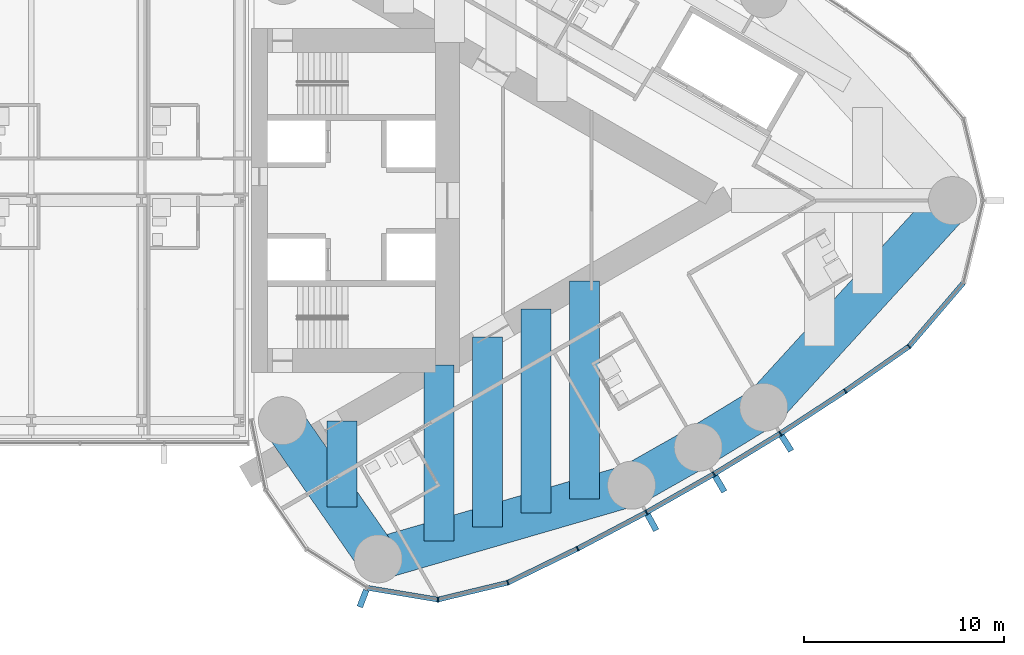
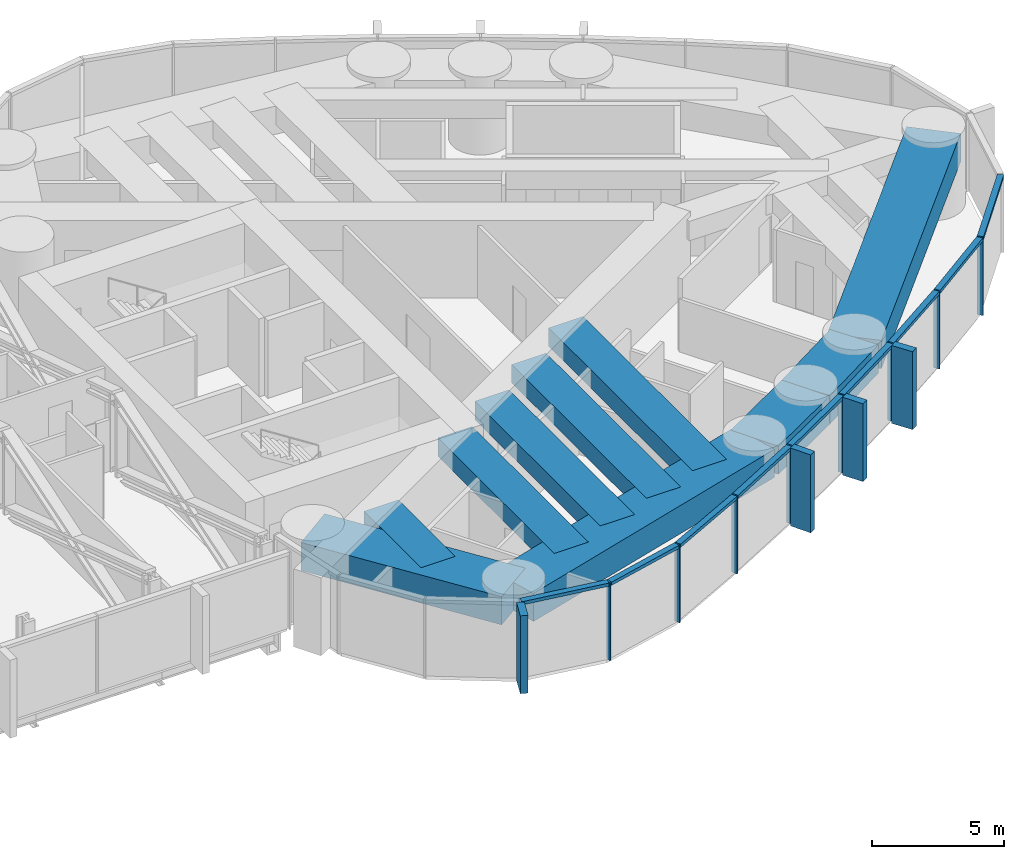
# One storey, part 8 of 22: 21 members, 10 beams, 1 element without a shape of its own.
"""IFC4 building model written with IfcOpenShell, lengths in metres."""

from ifc_helpers import new_model, si_unit, direction, frame, origin, origin_2d, place, context, subcontext, project, spatial, rectangle, extrude, material, material_profile, profile_set, type_object, element, aggregate, save


model = new_model("IFC4")

# Units and contexts
model_context = context("Model", 3, precision=1e-05, world=origin(), true_north=direction((0.0, 1.0)))
body_context = subcontext(model_context, "Body", "Model", "MODEL_VIEW")
ifc_project = project(units=[si_unit("LENGTHUNIT", "METRE"), si_unit("AREAUNIT", "SQUARE_METRE"), si_unit("VOLUMEUNIT", "CUBIC_METRE"), si_unit("PLANEANGLEUNIT", "RADIAN"), si_unit("MASSUNIT", "GRAM", prefix="KILO")], contexts=[model_context])

# Site, building, storey
site_placement = place(None, origin())
site = spatial("IfcSite", under=ifc_project, at=site_placement, CompositionType="ELEMENT")
building_placement = place(site_placement, origin())
building = spatial("IfcBuilding", under=site, at=building_placement, Name="Lancet Gate Hotel", CompositionType="ELEMENT")
storey_placement = place(building_placement, frame((0.0, 0.0, 233.300048828125)))
storey = spatial("IfcBuildingStorey", under=building, at=storey_placement, Name="L62", CompositionType="ELEMENT", Elevation=233.300048828125)

# Curtain wall, members
ifc_material_1 = material(Name="Aluminium curtain wall", Category="aluminium")
curtain_wall_type = type_object("IfcCurtainWallType", Name="Tower unitised curtain wall", PredefinedType="USERDEFINED", material=ifc_material_1)
curtain_wall_placement = place(storey_placement, origin())
curtain_wall = element("IfcCurtainWall", 1, at=curtain_wall_placement, inside=storey, type_object=curtain_wall_type, Name="T2 L62 curtain wall 1", ObjectType="UNITISED CURTAIN WALL", PredefinedType="USERDEFINED")
ifc_material_2 = material(Name="Aluminium mullion", Category="aluminium")
ifc_material_profile_1 = material_profile(ifc_material_2, rectangle(XDim=0.06494140625, YDim=0.25, at=origin_2d()), Name="MULLION 65x250")
ifc_profile_set_1 = profile_set([ifc_material_profile_1], Name="Aluminium mullion")
member_type_1 = type_object("IfcMemberType", Name="Aluminium mullion 65x250", PredefinedType="MULLION", material=ifc_profile_set_1)
member_1_placement = place(storey_placement, frame((36.826171875, -19.942138671875, 0.0), z_axis=(0.0, 0.0, 1.0), x_axis=(0.999342744911, 0.03625021647, 0.0)))
member_1 = element("IfcMember", 2, at=member_1_placement, type_object=member_type_1, Name="T2 L62 curtain wall 1 mullion 5", PredefinedType="MULLION", context=body_context, shape_type="SweptSolid", body=[
    extrude(rectangle(XDim=0.06494140625, YDim=0.25, at=origin_2d()), origin(), (0.0, 0.0, 1.0), 3.599853515625),
])
member_2_placement = place(storey_placement, frame((40.3173828125, -19.098388671875, 0.0), z_axis=(0.0, 0.0, 1.0), x_axis=(0.939483740419, 0.342593493061, 0.0)))
member_2 = element("IfcMember", 3, at=member_2_placement, type_object=member_type_1, Name="T2 L62 curtain wall 1 mullion 6", PredefinedType="MULLION", context=body_context, shape_type="SweptSolid", body=[
    extrude(rectangle(XDim=0.06494140625, YDim=0.25, at=origin_2d()), origin(), (0.0, 0.0, 1.0), 3.599853515625),
])
member_3_placement = place(storey_placement, frame((43.80810546875, -17.396240234375, 0.0), z_axis=(0.0, 0.0, 1.0), x_axis=(0.891832977257, 0.452364831389, 0.0)))
member_3 = element("IfcMember", 4, at=member_3_placement, type_object=member_type_1, Name="T2 L62 curtain wall 1 mullion 7", PredefinedType="MULLION", context=body_context, shape_type="SweptSolid", body=[
    extrude(rectangle(XDim=0.06494140625, YDim=0.25, at=origin_2d()), origin(), (0.0, 0.0, 1.0), 3.599853515625),
])
member_4_placement = place(storey_placement, frame((47.24365234375, -15.585205078125, 0.0), z_axis=(0.0, 0.0, 1.0), x_axis=(0.877194589488, 0.480135035352, 0.0)))
member_4 = element("IfcMember", 5, at=member_4_placement, type_object=member_type_1, Name="T2 L62 curtain wall 1 mullion 8", PredefinedType="MULLION", context=body_context, shape_type="SweptSolid", body=[
    extrude(rectangle(XDim=0.06494140625, YDim=0.25, at=origin_2d()), origin(), (0.0, 0.0, 1.0), 3.599853515625),
])
member_5_placement = place(storey_placement, frame((50.62060546875, -13.667236328125, 0.0), z_axis=(0.0, 0.0, 1.0), x_axis=(0.861691755738, 0.507432082247, 0.0)))
member_5 = element("IfcMember", 6, at=member_5_placement, type_object=member_type_1, Name="T2 L62 curtain wall 1 mullion 9", PredefinedType="MULLION", context=body_context, shape_type="SweptSolid", body=[
    extrude(rectangle(XDim=0.06494140625, YDim=0.25, at=origin_2d()), origin(), (0.0, 0.0, 1.0), 3.599853515625),
])
member_6_placement = place(storey_placement, frame((53.935791015625, -11.644287109375, 0.0), z_axis=(0.0, 0.0, 1.0), x_axis=(0.845339753513, 0.534229071777, 0.0)))
member_6 = element("IfcMember", 7, at=member_6_placement, type_object=member_type_1, Name="T2 L62 curtain wall 1 mullion 10", PredefinedType="MULLION", context=body_context, shape_type="SweptSolid", body=[
    extrude(rectangle(XDim=0.06494140625, YDim=0.25, at=origin_2d()), origin(), (0.0, 0.0, 1.0), 3.599853515625),
])
member_7_placement = place(storey_placement, frame((57.185791015625, -9.518310546875, 0.0), z_axis=(0.0, 0.0, 1.0), x_axis=(0.828154697184, 0.560499596371, 0.0)))
member_7 = element("IfcMember", 8, at=member_7_placement, type_object=member_type_1, Name="T2 L62 curtain wall 1 mullion 11", PredefinedType="MULLION", context=body_context, shape_type="SweptSolid", body=[
    extrude(rectangle(XDim=0.06494140625, YDim=0.25, at=origin_2d()), origin(), (0.0, 0.0, 1.0), 3.599853515625),
])
member_8_placement = place(storey_placement, frame((60.367431640625, -7.291259765625, 0.0), z_axis=(0.0, 0.0, 1.0), x_axis=(0.737323173512, 0.675540182226, 0.0)))
member_8 = element("IfcMember", 9, at=member_8_placement, type_object=member_type_1, Name="T2 L62 curtain wall 1 mullion 12", PredefinedType="MULLION", context=body_context, shape_type="SweptSolid", body=[
    extrude(rectangle(XDim=0.06494140625, YDim=0.25, at=origin_2d()), origin(), (0.0, 0.0, 1.0), 3.599853515625),
])
ifc_material_3 = material(Name="Aluminium transom", Category="aluminium")
ifc_material_profile_2 = material_profile(ifc_material_3, rectangle(XDim=0.25, YDim=0.14990234375, at=origin_2d()), Name="TRANSOM 250x150")
ifc_profile_set_2 = profile_set([ifc_material_profile_2], Name="Aluminium transom")
member_type_2 = type_object("IfcMemberType", Name="Aluminium transom 250x150", PredefinedType="USERDEFINED", material=ifc_profile_set_2)
member_9_placement = place(storey_placement, frame((33.315185546875, -19.35888671875, 3.52490234375), z_axis=(0.986483584545, -0.163860115412, 0.0), x_axis=(0.163860115412, 0.986483584545, 0.0)))
member_9 = element("IfcMember", 10, at=member_9_placement, type_object=member_type_2, Name="T2 L62 curtain wall 1 transom 4", ObjectType="TRANSOM", PredefinedType="USERDEFINED", context=body_context, shape_type="SweptSolid", body=[
    extrude(rectangle(XDim=0.25, YDim=0.14990234375, at=origin_2d()), origin(), (0.0, 0.0, 1.0), 3.526611328125),
])
member_10_placement = place(storey_placement, frame((36.85791015625, -19.9345703125, 3.52490234375), z_axis=(0.972002653858, 0.234969872307, 0.0), x_axis=(-0.234969872307, 0.972002653858, 0.0)))
member_10 = element("IfcMember", 11, at=member_10_placement, type_object=member_type_2, Name="T2 L62 curtain wall 1 transom 5", ObjectType="TRANSOM", PredefinedType="USERDEFINED", context=body_context, shape_type="SweptSolid", body=[
    extrude(rectangle(XDim=0.25, YDim=0.14990234375, at=origin_2d()), origin(), (0.0, 0.0, 1.0), 3.5263671875),
])
member_11_placement = place(storey_placement, frame((40.346435546875, -19.084228515625, 3.52490234375), z_axis=(0.898820051991, 0.438317823206, 0.0), x_axis=(-0.438317823206, 0.898820051991, 0.0)))
member_11 = element("IfcMember", 12, at=member_11_placement, type_object=member_type_2, Name="T2 L62 curtain wall 1 transom 6", ObjectType="TRANSOM", PredefinedType="USERDEFINED", context=body_context, shape_type="SweptSolid", body=[
    extrude(rectangle(XDim=0.25, YDim=0.14990234375, at=origin_2d()), origin(), (0.0, 0.0, 1.0), 3.81884765625),
])
member_12_placement = place(storey_placement, frame((43.836669921875, -17.381103515625, 3.52490234375), z_axis=(0.884618491031, 0.466315478325, 0.0), x_axis=(-0.466315478325, 0.884618491031, 0.0)))
member_12 = element("IfcMember", 13, at=member_12_placement, type_object=member_type_2, Name="T2 L62 curtain wall 1 transom 7", ObjectType="TRANSOM", PredefinedType="USERDEFINED", context=body_context, shape_type="SweptSolid", body=[
    extrude(rectangle(XDim=0.25, YDim=0.14990234375, at=origin_2d()), origin(), (0.0, 0.0, 1.0), 3.81884765625),
])
member_13_placement = place(storey_placement, frame((47.271728515625, -15.569091796875, 3.52490234375), z_axis=(0.869562011924, 0.493823761496, 0.0), x_axis=(-0.493823761496, 0.869562011924, 0.0)))
member_13 = element("IfcMember", 14, at=member_13_placement, type_object=member_type_2, Name="T2 L62 curtain wall 1 transom 8", ObjectType="TRANSOM", PredefinedType="USERDEFINED", context=body_context, shape_type="SweptSolid", body=[
    extrude(rectangle(XDim=0.25, YDim=0.14990234375, at=origin_2d()), origin(), (0.0, 0.0, 1.0), 3.818603515625),
])
member_14_placement = place(storey_placement, frame((50.648193359375, -13.650390625, 3.52490234375), z_axis=(0.853638798527, 0.520865435261, 0.0), x_axis=(-0.520865435261, 0.853638798527, 0.0)))
member_14 = element("IfcMember", 15, at=member_14_placement, type_object=member_type_2, Name="T2 L62 curtain wall 1 transom 9", ObjectType="TRANSOM", PredefinedType="USERDEFINED", context=body_context, shape_type="SweptSolid", body=[
    extrude(rectangle(XDim=0.25, YDim=0.14990234375, at=origin_2d()), origin(), (0.0, 0.0, 1.0), 3.818603515625),
])
member_15_placement = place(storey_placement, frame((53.962890625, -11.62646484375, 3.52490234375), z_axis=(0.836858089593, 0.547419891749, 0.0), x_axis=(-0.547419891749, 0.836858089593, 0.0)))
member_15 = element("IfcMember", 16, at=member_15_placement, type_object=member_type_2, Name="T2 L62 curtain wall 1 transom 10", ObjectType="TRANSOM", PredefinedType="USERDEFINED", context=body_context, shape_type="SweptSolid", body=[
    extrude(rectangle(XDim=0.25, YDim=0.14990234375, at=origin_2d()), origin(), (0.0, 0.0, 1.0), 3.818603515625),
])
member_16_placement = place(storey_placement, frame((57.21240234375, -9.499755859375, 3.52490234375), z_axis=(0.819255948852, 0.573428016642, 0.0), x_axis=(-0.573428016642, 0.819255948852, 0.0)))
member_16 = element("IfcMember", 17, at=member_16_placement, type_object=member_type_2, Name="T2 L62 curtain wall 1 transom 11", ObjectType="TRANSOM", PredefinedType="USERDEFINED", context=body_context, shape_type="SweptSolid", body=[
    extrude(rectangle(XDim=0.25, YDim=0.14990234375, at=origin_2d()), origin(), (0.0, 0.0, 1.0), 3.818603515625),
])
member_17_placement = place(storey_placement, frame((60.388427734375, -7.2666015625, 3.52490234375), z_axis=(0.650592500186, 0.759427019997, 0.0), x_axis=(-0.759427019997, 0.650592500186, 0.0)))
member_17 = element("IfcMember", 18, at=member_17_placement, type_object=member_type_2, Name="T2 L62 curtain wall 1 transom 12", ObjectType="TRANSOM", PredefinedType="USERDEFINED", context=body_context, shape_type="SweptSolid", body=[
    extrude(rectangle(XDim=0.25, YDim=0.14990234375, at=origin_2d()), origin(), (0.0, 0.0, 1.0), 4.1455078125),
])

# Beams
ifc_material_4 = material(Name="Concrete C50/60", Category="concrete")
ifc_material_profile_3 = material_profile(ifc_material_4, rectangle(XDim=2.10009765625, YDim=1.300048828125, at=origin_2d()), Name="RC 2100x1300")
ifc_profile_set_3 = profile_set([ifc_material_profile_3], Name="Concrete C50/60")
beam_type_1 = type_object("IfcBeamType", Name="Edge beam RC 2100x1300", PredefinedType="SPANDREL", material=ifc_profile_set_3)
beam_1_placement = place(storey_placement, frame((33.837158203125, -17.906005859375, 2.699951171875), z_axis=(0.960258384252, 0.279112585659, 0.0), x_axis=(-0.279112585659, 0.960258384252, 0.0)))
element("IfcBeam", 19, at=beam_1_placement, inside=storey, type_object=beam_type_1, Name="T2 edge beam EB1 L62", PredefinedType="SPANDREL", context=body_context, shape_type="SweptSolid", body=[
    extrude(rectangle(XDim=2.10009765625, YDim=1.300048828125, at=origin_2d()), origin(), (0.0, 0.0, 1.0), 13.18603515625),
])
beam_2_placement = place(storey_placement, frame((46.499267578125, -14.2255859375, 2.699951171875), z_axis=(0.869560321562, 0.493826738001, 0.0), x_axis=(-0.493826738001, 0.869560321562, 0.0)))
element("IfcBeam", 20, at=beam_2_placement, inside=storey, type_object=beam_type_1, Name="T2 edge beam EB1 L62", PredefinedType="SPANDREL", context=body_context, shape_type="SweptSolid", body=[
    extrude(rectangle(XDim=2.10009765625, YDim=1.300048828125, at=origin_2d()), origin(), (0.0, 0.0, 1.0), 3.8349609375),
])
beam_3_placement = place(storey_placement, frame((49.833984375, -12.331787109375, 2.699951171875), z_axis=(0.853604257265, 0.520922040212, 0.0), x_axis=(-0.520922040212, 0.853604257265, 0.0)))
element("IfcBeam", 21, at=beam_3_placement, inside=storey, type_object=beam_type_1, Name="T2 edge beam EB1 L62", PredefinedType="SPANDREL", context=body_context, shape_type="SweptSolid", body=[
    extrude(rectangle(XDim=2.10009765625, YDim=1.300048828125, at=origin_2d()), origin(), (0.0, 0.0, 1.0), 3.835205078125),
])
beam_4_placement = place(storey_placement, frame((53.107666015625, -10.333984375, 2.699951171875), z_axis=(0.674209372947, 0.738540263919, 0.0), x_axis=(-0.738540263919, 0.674209372947, 0.0)))
element("IfcBeam", 22, at=beam_4_placement, inside=storey, type_object=beam_type_1, Name="T2 edge beam EB1 L62", PredefinedType="SPANDREL", context=body_context, shape_type="SweptSolid", body=[
    extrude(rectangle(XDim=2.10009765625, YDim=1.300048828125, at=origin_2d()), origin(), (0.0, 0.0, 1.0), 13.992431640625),
])
beam_5_placement = place(storey_placement, frame((33.837158203125, -17.906005859375, 2.699951171875), z_axis=(-0.569694852599, 0.821856298219, 0.0), x_axis=(-0.821856298219, -0.569694852599, 0.0)))
element("IfcBeam", 23, at=beam_5_placement, inside=storey, type_object=beam_type_1, Name="T2 edge beam EB1 L62", PredefinedType="SPANDREL", context=body_context, shape_type="SweptSolid", body=[
    extrude(rectangle(XDim=2.10009765625, YDim=1.300048828125, at=origin_2d()), origin(), (0.0, 0.0, 1.0), 8.40283203125),
])

# Member
ifc_material_5 = material(Name="Precast concrete C50/60", Category="concrete")
ifc_material_profile_4 = material_profile(ifc_material_5, rectangle(XDim=0.300048828125, YDim=0.89990234375, at=origin_2d()), Name="FIN 300x900")
ifc_profile_set_4 = profile_set([ifc_material_profile_4], Name="Precast concrete C50/60")
member_type_3 = type_object("IfcMemberType", Name="Exposed concrete fin 300x900", PredefinedType="USERDEFINED", material=ifc_profile_set_4)
member_18_placement = place(storey_placement, frame((33.07763671875, -19.890625, 0.0), z_axis=(0.0, 0.0, 1.0), x_axis=(0.93394321776, -0.357421412343, 0.0)))
member_18 = element("IfcMember", 24, at=member_18_placement, type_object=member_type_3, Name="T2 L62 curtain wall 1 fin 4", ObjectType="FIN", PredefinedType="USERDEFINED", context=body_context, shape_type="SweptSolid", body=[
    extrude(rectangle(XDim=0.300048828125, YDim=0.89990234375, at=origin_2d()), origin(), (0.0, 0.0, 1.0), 3.599853515625),
])

member_19_placement = place(storey_placement, frame((47.51953125, -16.089599609375, 0.0), z_axis=(0.0, 0.0, 1.0), x_axis=(0.877194589488, 0.480135035352, 0.0)))
member_19 = element("IfcMember", 25, at=member_19_placement, type_object=member_type_3, Name="T2 L62 curtain wall 1 fin 8", ObjectType="FIN", PredefinedType="USERDEFINED", context=body_context, shape_type="SweptSolid", body=[
    extrude(rectangle(XDim=0.300048828125, YDim=0.89990234375, at=origin_2d()), origin(), (0.0, 0.0, 1.0), 3.599853515625),
])

member_20_placement = place(storey_placement, frame((50.912353515625, -14.162841796875, 0.0), z_axis=(0.0, 0.0, 1.0), x_axis=(0.861691755738, 0.507432082247, 0.0)))
member_20 = element("IfcMember", 26, at=member_20_placement, type_object=member_type_3, Name="T2 L62 curtain wall 1 fin 9", ObjectType="FIN", PredefinedType="USERDEFINED", context=body_context, shape_type="SweptSolid", body=[
    extrude(rectangle(XDim=0.300048828125, YDim=0.89990234375, at=origin_2d()), origin(), (0.0, 0.0, 1.0), 3.599853515625),
])

member_21_placement = place(storey_placement, frame((54.242919921875, -12.13037109375, 0.0), z_axis=(0.0, 0.0, 1.0), x_axis=(0.845339753513, 0.534229071777, 0.0)))
member_21 = element("IfcMember", 27, at=member_21_placement, type_object=member_type_3, Name="T2 L62 curtain wall 1 fin 10", ObjectType="FIN", PredefinedType="USERDEFINED", context=body_context, shape_type="SweptSolid", body=[
    extrude(rectangle(XDim=0.300048828125, YDim=0.89990234375, at=origin_2d()), origin(), (0.0, 0.0, 1.0), 3.599853515625),
])

aggregate(curtain_wall, [member_18, member_1, member_2, member_3, member_4, member_19, member_5, member_20, member_6, member_21, member_7, member_8, member_9, member_10, member_11, member_12, member_13, member_14, member_15, member_16, member_17])

# Beams
ifc_material_6 = material(Name="Concrete C50/60", Category="concrete")
ifc_material_profile_5 = material_profile(ifc_material_6, rectangle(XDim=1.5, YDim=0.85009765625, at=origin_2d()), Name="RC 1500x850")
ifc_profile_set_5 = profile_set([ifc_material_profile_5], Name="Concrete C50/60")
beam_type_2 = type_object("IfcBeamType", Name="Floor beam RC 1500x850", PredefinedType="BEAM", material=ifc_profile_set_5)
beam_6_placement = place(storey_placement, frame((32.04052734375, -15.31396484375, 2.925048828125), z_axis=(0.0, 1.0, 0.0), x_axis=(-1.0, 0.0, 0.0)))
element("IfcBeam", 28, at=beam_6_placement, inside=storey, type_object=beam_type_2, Name="T2 floor beam F01S L62", PredefinedType="BEAM", context=body_context, shape_type="SweptSolid", body=[
    extrude(rectangle(XDim=1.5, YDim=0.85009765625, at=origin_2d()), origin(), (0.0, 0.0, 1.0), 4.30859375),
])
beam_7_placement = place(storey_placement, frame((36.880859375, -17.021240234375, 2.925048828125), z_axis=(0.0, 1.0, 0.0), x_axis=(-1.0, 0.0, 0.0)))
element("IfcBeam", 29, at=beam_7_placement, inside=storey, type_object=beam_type_2, Name="T2 floor beam F03S L62", PredefinedType="BEAM", context=body_context, shape_type="SweptSolid", body=[
    extrude(rectangle(XDim=1.5, YDim=0.85009765625, at=origin_2d()), origin(), (0.0, 0.0, 1.0), 8.810546875),
])
beam_8_placement = place(storey_placement, frame((39.301025390625, -16.31787109375, 2.925048828125), z_axis=(0.0, 1.0, 0.0), x_axis=(-1.0, 0.0, 0.0)))
element("IfcBeam", 30, at=beam_8_placement, inside=storey, type_object=beam_type_2, Name="T2 floor beam F05S L62", PredefinedType="BEAM", context=body_context, shape_type="SweptSolid", body=[
    extrude(rectangle(XDim=1.5, YDim=0.85009765625, at=origin_2d()), origin(), (0.0, 0.0, 1.0), 9.50439453125),
])
beam_9_placement = place(storey_placement, frame((41.721435546875, -15.6142578125, 2.925048828125), z_axis=(0.0, 1.0, 0.0), x_axis=(-1.0, 0.0, 0.0)))
element("IfcBeam", 31, at=beam_9_placement, inside=storey, type_object=beam_type_2, Name="T2 floor beam F07S L62", PredefinedType="BEAM", context=body_context, shape_type="SweptSolid", body=[
    extrude(rectangle(XDim=1.5, YDim=0.85009765625, at=origin_2d()), origin(), (0.0, 0.0, 1.0), 10.1982421875),
])
beam_10_placement = place(storey_placement, frame((44.1416015625, -14.910888671875, 2.925048828125), z_axis=(0.0, 1.0, 0.0), x_axis=(-1.0, 0.0, 0.0)))
element("IfcBeam", 32, at=beam_10_placement, inside=storey, type_object=beam_type_2, Name="T2 floor beam F09S L62", PredefinedType="BEAM", context=body_context, shape_type="SweptSolid", body=[
    extrude(rectangle(XDim=1.5, YDim=0.85009765625, at=origin_2d()), origin(), (0.0, 0.0, 1.0), 10.89208984375),
])

save(model, "model.ifc")
